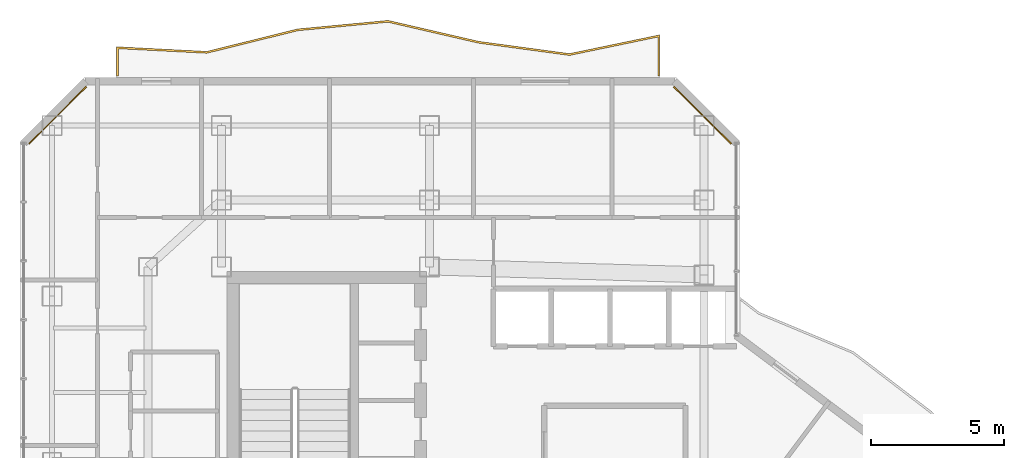
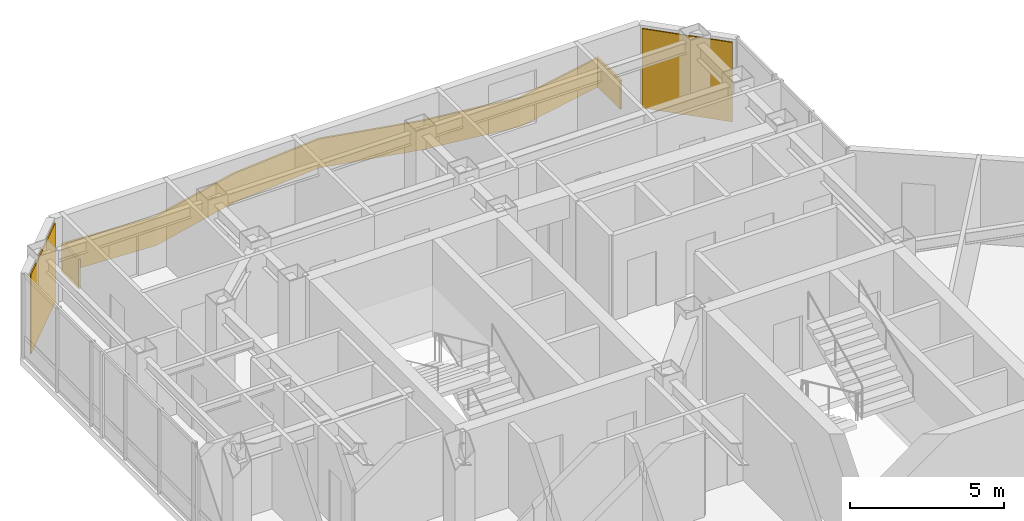
# One storey, part 26 of 26: 2 coverings, 1 railing.
"""IFC4 building model written with IfcOpenShell, lengths in metres."""

from ifc_helpers import new_model, si_unit, direction, frame, origin, origin_2d, place, context, subcontext, project, spatial, polyline, rectangle, outline, extrude, material, layer, layer_set, type_object, element, save


model = new_model("IFC4")

# Units and contexts
model_context = context("Model", 3, precision=1e-05, world=origin(), true_north=direction((0.0, 1.0)))
body_context = subcontext(model_context, "Body", "Model", "MODEL_VIEW")
ifc_project = project(units=[si_unit("LENGTHUNIT", "METRE"), si_unit("AREAUNIT", "SQUARE_METRE"), si_unit("VOLUMEUNIT", "CUBIC_METRE"), si_unit("PLANEANGLEUNIT", "RADIAN"), si_unit("MASSUNIT", "GRAM", prefix="KILO")], contexts=[model_context])

# Site, building, storey
site_placement = place(None, origin())
site = spatial("IfcSite", under=ifc_project, at=site_placement, CompositionType="ELEMENT")
building_placement = place(site_placement, origin())
building = spatial("IfcBuilding", under=site, at=building_placement, Name="Hatsunagi Terrace Concourse", CompositionType="ELEMENT")
storey_placement = place(building_placement, frame((0.0, 0.0, 195.14990234375)))
storey = spatial("IfcBuildingStorey", under=building, at=storey_placement, Name="L51", CompositionType="ELEMENT", Elevation=195.14990234375)

# Railing
ifc_material_1 = material(Name="Laminated Glass and Stainless Steel Guard", Category="steel")
ifc_layer_1 = layer(ifc_material_1, 0.070068359375)
ifc_layer_set_1 = layer_set([ifc_layer_1], Name="BalconyGlassGuardRail_1150")
railing_type = type_object("IfcRailingType", Name="BalconyGlassGuardRail_1150", PredefinedType="BALUSTRADE", material=ifc_layer_set_1)
railing_placement = place(storey_placement, origin())
element("IfcRailing", 1, at=railing_placement, inside=storey, type_object=railing_type, Name="Engawa Balcony Guard GRD-01 L51-BN-1", PredefinedType="BALUSTRADE", context=body_context, shape_type="SweptSolid", body=[
    extrude(outline(polyline([(21.614990234375, 50.449951171875), (21.68505859375, 50.449951171875), (21.68505859375, 51.478271484375), (25.00830078125, 51.307861328125), (28.413818359375, 52.1513671875), (31.794677734375, 52.470703125), (35.184814453125, 51.6875), (38.603271484375, 51.2255859375), (41.9150390625, 51.9140625), (41.9150390625, 50.449951171875), (41.985107421875, 50.449951171875), (41.985107421875, 52.0), (38.6005859375, 51.29638671875), (35.197265625, 51.756591796875), (31.79931640625, 52.54150390625), (28.402099609375, 52.220703125), (25.001708984375, 51.378173828125), (21.614990234375, 51.5517578125), (21.614990234375, 50.449951171875)])), origin(), (0.0, 0.0, 1.0), 1.150146484375),
])

# Coverings
ifc_material_2 = material(Name="Unglazed Warm Terracotta Rainscreen Tile", Category="masonry")
ifc_layer_2 = layer(ifc_material_2, 0.044921875)
ifc_layer_set_2 = layer_set([ifc_layer_2], Name="TerracottaRainscreenCladding_45")
covering_type = type_object("IfcCoveringType", Name="TerracottaRainscreenCladding_45", PredefinedType="CLADDING", material=ifc_layer_set_2)
for number, where, z_axis, x_axis, name in (
    (2, (19.4140625, 48.986083984375, 0.10009765625), (0.0, 0.0, 1.0), (0.707106781187, 0.707106781187, 0.0), "Terracotta Rainscreen Cladding L51-09"),
    (3, (43.5859375, 48.986083984375, 0.10009765625), (0.0, 0.0, 1.0), (0.707106781187, -0.707106781187, 0.0), "Terracotta Rainscreen Cladding L51-11"),
):
    element("IfcCovering", number, at=place(storey_placement, frame(where, z_axis=z_axis, x_axis=x_axis)), inside=storey, type_object=covering_type, Name=name, PredefinedType="CLADDING", context=body_context, shape_type="SweptSolid", body=[
        extrude(rectangle(XDim=3.0380859375, YDim=0.044921875, at=origin_2d()), origin(), (0.0, 0.0, 1.0), 3.14990234375),
    ])

save(model, "model.ifc")
